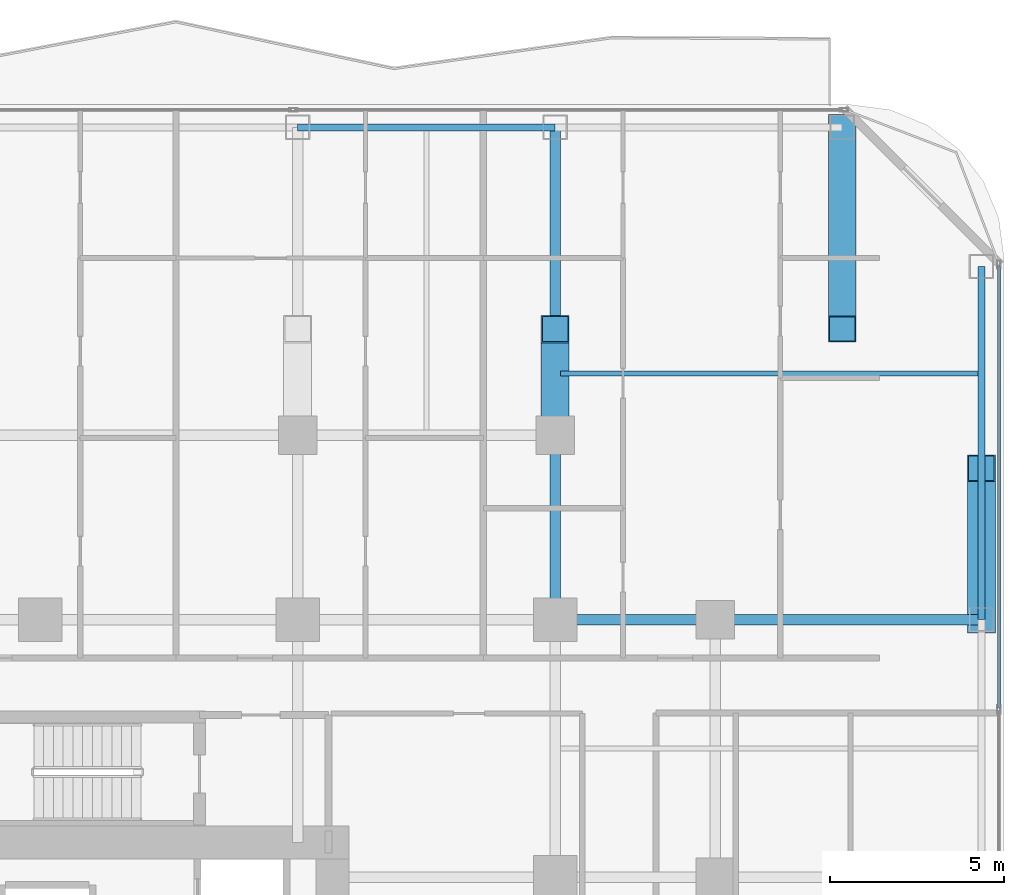
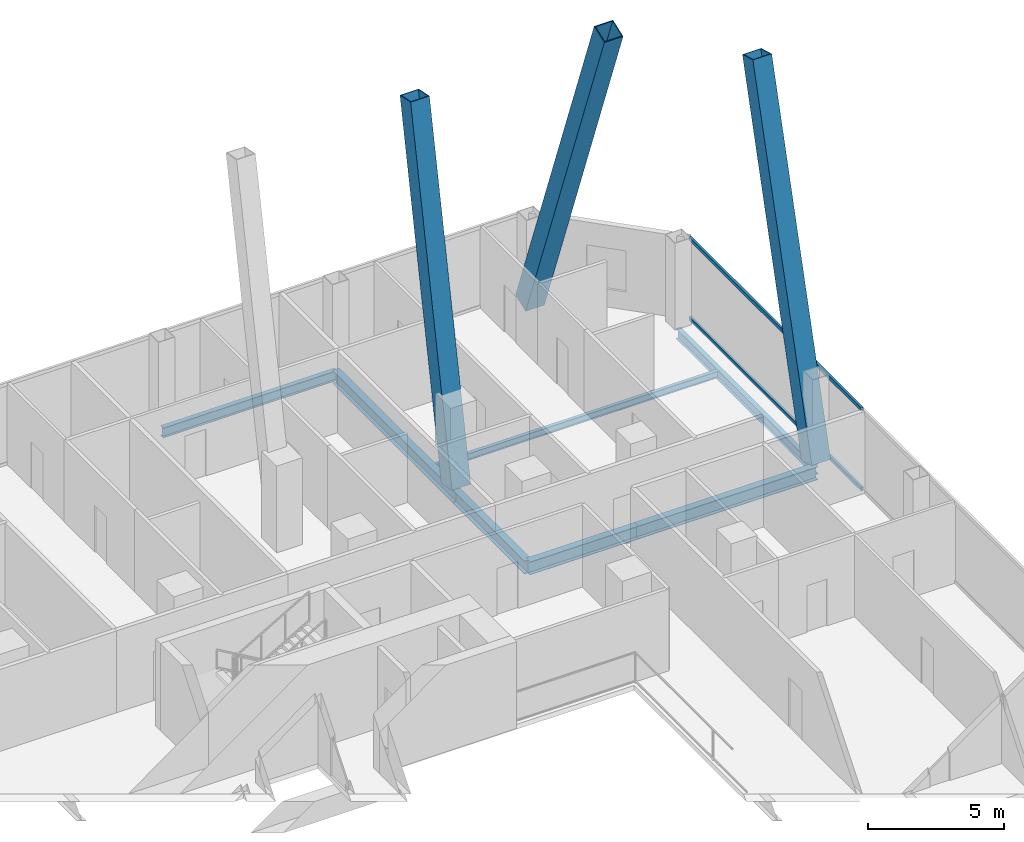
# One storey, part 18 of 28: 7 beams, 5 members, 1 element without a shape of its own.
"""IFC4 building model written with IfcOpenShell, lengths in metres."""

from ifc_helpers import new_model, si_unit, direction, frame, origin, origin_2d, place, context, subcontext, project, spatial, hollow_rectangle, i_section, extrude, material, layer, layer_set, material_profile, profile_set, type_object, element, aggregate, save


model = new_model("IFC4")

# Units and contexts
model_context = context("Model", 3, precision=1e-05, world=origin(), true_north=direction((0.0, 1.0)))
body_context = subcontext(model_context, "Body", "Model", "MODEL_VIEW")
ifc_project = project(units=[si_unit("LENGTHUNIT", "METRE"), si_unit("AREAUNIT", "SQUARE_METRE"), si_unit("VOLUMEUNIT", "CUBIC_METRE"), si_unit("PLANEANGLEUNIT", "RADIAN"), si_unit("MASSUNIT", "GRAM", prefix="KILO")], contexts=[model_context])

# Site, building, storey
site_placement = place(None, origin())
site = spatial("IfcSite", under=ifc_project, at=site_placement, CompositionType="ELEMENT")
building_placement = place(site_placement, origin())
building = spatial("IfcBuilding", under=site, at=building_placement, Name="Khorvyn Point Tower", CompositionType="ELEMENT")
storey_placement = place(building_placement, frame((0.0, 0.0, 121.199951171875)))
storey = spatial("IfcBuildingStorey", under=building, at=storey_placement, Name="L30", CompositionType="ELEMENT", Elevation=121.199951171875)

# Curtain wall, members
ifc_material_1 = material(Name="Anodised aluminium 6063-T6 and laminated Low-E glass", Category="aluminium")
ifc_layer = layer(ifc_material_1, 0.18994140625)
ifc_layer_set = layer_set([ifc_layer], Name="Stick-Built Acoustic Curtain Wall CW-SYS-03")
curtain_wall_type = type_object("IfcCurtainWallType", Name="Stick-Built Acoustic Curtain Wall CW-SYS-03", PredefinedType="NOTDEFINED", material=ifc_layer_set)
curtain_wall_placement = place(storey_placement, origin())
curtain_wall = element("IfcCurtainWall", 1, at=curtain_wall_placement, inside=storey, type_object=curtain_wall_type, Name="Curtain Wall", PredefinedType="NOTDEFINED")
ifc_material_2 = material(Name="Anodised aluminium 6063-T6", Category="aluminium")
ifc_material_profile_1 = material_profile(ifc_material_2, hollow_rectangle(XDim=0.10009765625, YDim=0.159912109375, WallThickness=0.00439453125, at=origin_2d()))
ifc_profile_set_1 = profile_set([ifc_material_profile_1], Name="Anodised aluminium 6063-T6 ALU-TRN-100x160")
member_type_1 = type_object("IfcMemberType", Name="Anodised Aluminium 6063-T6 Transom ALU-TRN-100x160", PredefinedType="USERDEFINED", material=ifc_profile_set_1)
member_1_placement = place(storey_placement, frame((27.550048828125, 24.949951171875, 0.050048828125), z_axis=(0.0, -1.0, 0.0), x_axis=(1.0, 0.0, 0.0)))
member_1 = element("IfcMember", 2, at=member_1_placement, type_object=member_type_1, Name="Transom", ObjectType="TRANSOM", PredefinedType="USERDEFINED", context=body_context, shape_type="SweptSolid", body=[
    extrude(hollow_rectangle(XDim=0.10009765625, YDim=0.159912109375, WallThickness=0.00439453125, at=origin_2d()), origin(), (0.0, 0.0, 1.0), 12.683349609375),
])
member_2_placement = place(storey_placement, frame((27.550048828125, 24.949951171875, 3.630126953125), z_axis=(0.0, -1.0, 0.0), x_axis=(1.0, 0.0, 0.0)))
member_2 = element("IfcMember", 3, at=member_2_placement, type_object=member_type_1, Name="Transom", ObjectType="TRANSOM", PredefinedType="USERDEFINED", context=body_context, shape_type="SweptSolid", body=[
    extrude(hollow_rectangle(XDim=0.10009765625, YDim=0.159912109375, WallThickness=0.00439453125, at=origin_2d()), origin(), (0.0, 0.0, 1.0), 12.683349609375),
])
aggregate(curtain_wall, [member_1, member_2])

# Beams
ifc_material_3 = material(Name="Steel S355", Category="steel")
ifc_material_profile_2 = material_profile(ifc_material_3, i_section(OverallWidth=0.300048828125, OverallDepth=0.587890625, WebThickness=0.011962890625, FlangeThickness=0.02001953125, at=origin_2d()))
ifc_profile_set_2 = profile_set([ifc_material_profile_2], Name="Steel S355 H588x300x12x20")
beam_type_1 = type_object("IfcBeamType", Name="Steel S355 Beam H588x300x12x20", PredefinedType="BEAM", material=ifc_profile_set_2)
beam_1_placement = place(storey_placement, frame((14.800048828125, 14.800048828125, -0.513916015625), z_axis=(1.0, 0.0, 0.0), x_axis=(0.0, 1.0, 0.0)))
element("IfcBeam", 4, at=beam_1_placement, inside=storey, type_object=beam_type_1, Name="Beam", PredefinedType="BEAM", context=body_context, shape_type="SweptSolid", body=[
    extrude(i_section(OverallWidth=0.300048828125, OverallDepth=0.587890625, WebThickness=0.011962890625, FlangeThickness=0.02001953125, at=origin_2d()), origin(), (0.0, 0.0, 1.0), 4.599853515625),
])
beam_2_placement = place(storey_placement, frame((19.39990234375, 14.800048828125, -0.513916015625), z_axis=(1.0, 0.0, 0.0), x_axis=(0.0, 1.0, 0.0)))
element("IfcBeam", 5, at=beam_2_placement, inside=storey, type_object=beam_type_1, Name="Beam", PredefinedType="BEAM", context=body_context, shape_type="SweptSolid", body=[
    extrude(i_section(OverallWidth=0.300048828125, OverallDepth=0.587890625, WebThickness=0.011962890625, FlangeThickness=0.02001953125, at=origin_2d()), origin(), (0.0, 0.0, 1.0), 7.650146484375),
])
beam_3_placement = place(storey_placement, frame((14.800048828125, 14.800048828125, -0.513916015625), z_axis=(0.0, 1.0, 0.0), x_axis=(-1.0, 0.0, 0.0)))
element("IfcBeam", 6, at=beam_3_placement, inside=storey, type_object=beam_type_1, Name="Beam", PredefinedType="BEAM", context=body_context, shape_type="SweptSolid", body=[
    extrude(i_section(OverallWidth=0.300048828125, OverallDepth=0.587890625, WebThickness=0.011962890625, FlangeThickness=0.02001953125, at=origin_2d()), origin(), (0.0, 0.0, 1.0), 5.300048828125),
])
beam_4_placement = place(storey_placement, frame((14.800048828125, 20.10009765625, -0.513916015625), z_axis=(0.0, 1.0, 0.0), x_axis=(-1.0, 0.0, 0.0)))
element("IfcBeam", 7, at=beam_4_placement, inside=storey, type_object=beam_type_1, Name="Beam", PredefinedType="BEAM", context=body_context, shape_type="SweptSolid", body=[
    extrude(i_section(OverallWidth=0.300048828125, OverallDepth=0.587890625, WebThickness=0.011962890625, FlangeThickness=0.02001953125, at=origin_2d()), origin(), (0.0, 0.0, 1.0), 8.849853515625),
])
ifc_material_profile_3 = material_profile(ifc_material_3, i_section(OverallWidth=0.14990234375, OverallDepth=0.300048828125, WebThickness=0.006591796875, FlangeThickness=0.009033203125, at=origin_2d()))
ifc_profile_set_3 = profile_set([ifc_material_profile_3], Name="Steel S355 H300x150x6.5x9")
beam_type_2 = type_object("IfcBeamType", Name="Steel S355 Joist H300x150x6.5x9", PredefinedType="JOIST", material=ifc_profile_set_3)
beam_5_placement = place(storey_placement, frame((14.949951171875, 21.875, -0.369873046875), z_axis=(1.0, 0.0, 0.0), x_axis=(0.0, 1.0, 0.0)))
element("IfcBeam", 8, at=beam_5_placement, inside=storey, type_object=beam_type_2, Name="Beam", PredefinedType="JOIST", context=body_context, shape_type="SweptSolid", body=[
    extrude(i_section(OverallWidth=0.14990234375, OverallDepth=0.300048828125, WebThickness=0.006591796875, FlangeThickness=0.009033203125, at=origin_2d()), origin(), (0.0, 0.0, 1.0), 12.0),
])
ifc_material_profile_4 = material_profile(ifc_material_3, i_section(OverallWidth=0.199951171875, OverallDepth=0.449951171875, WebThickness=0.009033203125, FlangeThickness=0.013916015625, at=origin_2d()))
ifc_profile_set_4 = profile_set([ifc_material_profile_4], Name="Steel S355 H450x200x9x14")
beam_type_3 = type_object("IfcBeamType", Name="Steel S355 Spandrel H450x200x9x14", PredefinedType="SPANDREL", material=ifc_profile_set_4)
beam_6_placement = place(storey_placement, frame((7.39990234375, 28.949951171875, -0.445068359375), z_axis=(1.0, 0.0, 0.0), x_axis=(0.0, 1.0, 0.0)))
element("IfcBeam", 9, at=beam_6_placement, inside=storey, type_object=beam_type_3, Name="Beam", PredefinedType="SPANDREL", context=body_context, shape_type="SweptSolid", body=[
    extrude(i_section(OverallWidth=0.199951171875, OverallDepth=0.449951171875, WebThickness=0.009033203125, FlangeThickness=0.013916015625, at=origin_2d()), origin(), (0.0, 0.0, 1.0), 7.400146484375),
])
beam_7_placement = place(storey_placement, frame((27.050048828125, 14.800048828125, -0.445068359375), z_axis=(0.0, 1.0, 0.0), x_axis=(-1.0, 0.0, 0.0)))
element("IfcBeam", 10, at=beam_7_placement, inside=storey, type_object=beam_type_3, Name="Beam", PredefinedType="SPANDREL", context=body_context, shape_type="SweptSolid", body=[
    extrude(i_section(OverallWidth=0.199951171875, OverallDepth=0.449951171875, WebThickness=0.009033203125, FlangeThickness=0.013916015625, at=origin_2d()), origin(), (0.0, 0.0, 1.0), 10.14990234375),
])

# Members
ifc_material_4 = material(Name="Steel S450", Category="steel")
ifc_material_profile_5 = material_profile(ifc_material_4, hollow_rectangle(XDim=0.800048828125, YDim=0.800048828125, WallThickness=0.035888671875, at=origin_2d()))
ifc_profile_set_5 = profile_set([ifc_material_profile_5], Name="Steel S450 BOX800x800x36")
member_type_2 = type_object("IfcMemberType", Name="Steel S450 Exoskeleton Structural Post BOX800x800x36", PredefinedType="POST", material=ifc_profile_set_5)
member_3_placement = place(storey_placement, frame((23.050048828125, 28.949951171875, 0.0), z_axis=(0.0, -0.348488886408, 0.937312912559), x_axis=(1.0, 0.0, 0.0)))
element("IfcMember", 11, at=member_3_placement, inside=storey, type_object=member_type_2, Name="L30 to L34 Exoskeleton Transfer Post 04", PredefinedType="POST", context=body_context, shape_type="SweptSolid", body=[
    extrude(hollow_rectangle(XDim=0.800048828125, YDim=0.800048828125, WallThickness=0.035888671875, at=origin_2d()), origin(), (0.0, 0.0, 1.0), 16.643310546875),
])
member_4_placement = place(storey_placement, frame((27.050048828125, 14.800048828125, 0.0), z_axis=(0.0, 0.268589176261, 0.963254823188), x_axis=(-1.0, 0.0, 0.0)))
element("IfcMember", 12, at=member_4_placement, inside=storey, type_object=member_type_2, Name="L30 to L34 Exoskeleton Transfer Post 08", PredefinedType="POST", context=body_context, shape_type="SweptSolid", body=[
    extrude(hollow_rectangle(XDim=0.800048828125, YDim=0.800048828125, WallThickness=0.035888671875, at=origin_2d()), origin(), (0.0, 0.0, 1.0), 16.1953125),
])
member_5_placement = place(storey_placement, frame((14.800048828125, 20.10009765625, 0.0), z_axis=(0.0, 0.19186689103, 0.981420957656), x_axis=(-1.0, 0.0, 0.0)))
element("IfcMember", 13, at=member_5_placement, inside=storey, type_object=member_type_2, Name="L30 to L34 Exoskeleton Transfer Post 14", PredefinedType="POST", context=body_context, shape_type="SweptSolid", body=[
    extrude(hollow_rectangle(XDim=0.800048828125, YDim=0.800048828125, WallThickness=0.035888671875, at=origin_2d()), origin(), (0.0, 0.0, 1.0), 15.8955078125),
])

save(model, "model.ifc")
